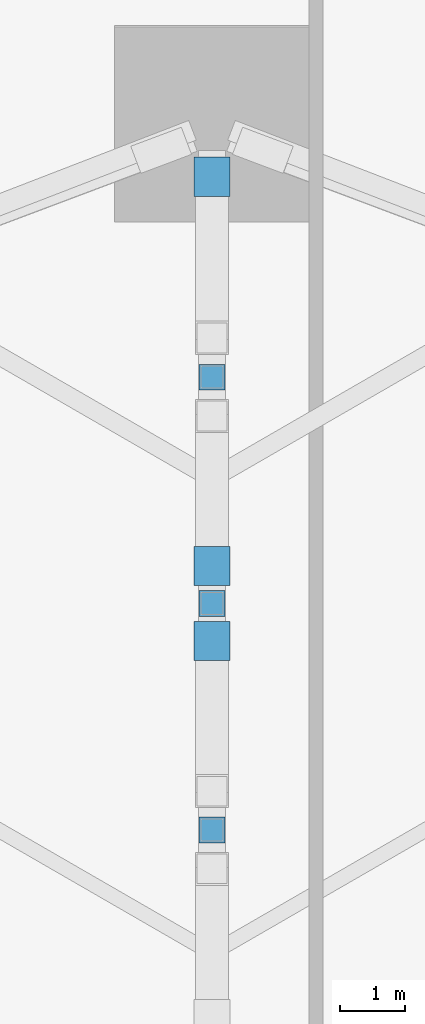
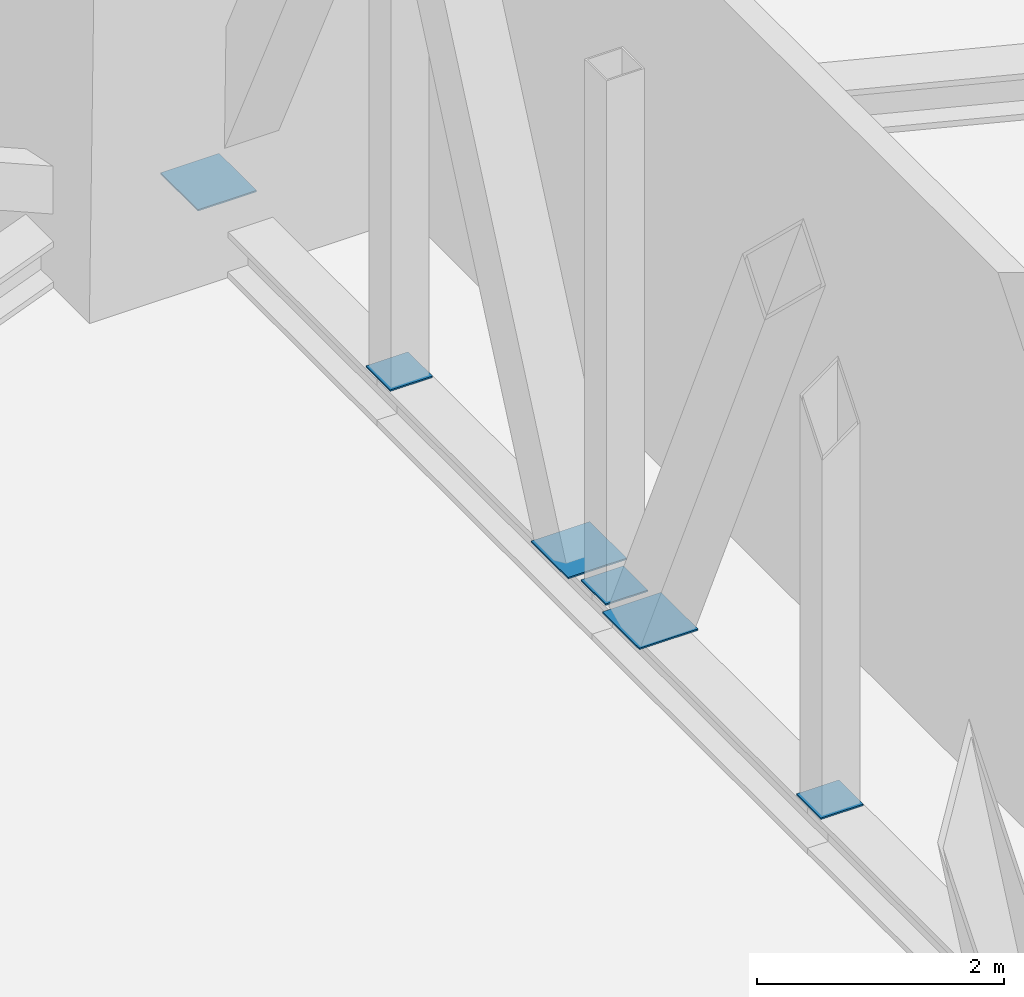
# One storey, part 10 of 18: 6 discrete accessories.
"""IFC4 building model written with IfcOpenShell, lengths in metres."""

from ifc_helpers import new_model, si_unit, direction, frame, origin, origin_2d, place, context, subcontext, project, spatial, rectangle, extrude, material, type_object, element, save


model = new_model("IFC4")

# Units and contexts
model_context = context("Model", 3, precision=1e-05, world=origin(), true_north=direction((0.0, 1.0)))
body_context = subcontext(model_context, "Body", "Model", "MODEL_VIEW")
ifc_project = project(units=[si_unit("LENGTHUNIT", "METRE"), si_unit("AREAUNIT", "SQUARE_METRE"), si_unit("VOLUMEUNIT", "CUBIC_METRE"), si_unit("PLANEANGLEUNIT", "RADIAN"), si_unit("MASSUNIT", "GRAM", prefix="KILO")], contexts=[model_context])

# Site, building, storey
site_placement = place(None, origin())
site = spatial("IfcSite", under=ifc_project, at=site_placement, CompositionType="ELEMENT")
building_placement = place(site_placement, origin())
building = spatial("IfcBuilding", under=site, at=building_placement, Name="Sierra Prisma Convention Tower", CompositionType="ELEMENT")
storey_placement = place(building_placement, frame((0.0, 0.0, 112.60009765625)))
storey = spatial("IfcBuildingStorey", under=building, at=storey_placement, Name="L24", CompositionType="ELEMENT", Elevation=112.60009765625)

# Discrete accessories
ifc_material = material(Name="Steel ASTM A992 Gr 50", Category="steel")
discrete_accessory_type = type_object("IfcDiscreteAccessoryType", Name="Truss end plate", PredefinedType="BRACKET", material=ifc_material)
discrete_accessory_placement = place(storey_placement, frame((0.0, 28.406005859375, 0.4580078125), z_axis=(0.0, 0.0, 1.0), x_axis=(0.0, -1.0, 0.0)))
element("IfcDiscreteAccessory", 1, at=discrete_accessory_placement, inside=storey, type_object=discrete_accessory_type, Name="Outrigger truss L24 N diagonal 1 foot end plate", PredefinedType="BRACKET", context=body_context, shape_type="SweptSolid", body=[
    extrude(rectangle(XDim=0.60498046875, YDim=0.548095703125, at=origin_2d()), origin(), (0.0, 0.0, 1.0), 0.014892578125),
])
for number, where, z_axis, x_axis, name in (
    (2, (0.0, 22.40869140625, 0.4580078125), (0.0, 0.0, 1.0), (0.0, -1.0, 0.0), "Outrigger truss L24 N diagonal 2 foot end plate"),
    (3, (0.0, 21.25537109375, 0.4580078125), (0.0, 0.0, 1.0), (0.0, -1.0, 0.0), "Outrigger truss L24 N diagonal 3 foot end plate"),
):
    element("IfcDiscreteAccessory", number, at=place(storey_placement, frame(where, z_axis=z_axis, x_axis=x_axis)), inside=storey, type_object=discrete_accessory_type, Name=name, PredefinedType="BRACKET", context=body_context, shape_type="SweptSolid", body=[
        extrude(rectangle(XDim=0.596923828125, YDim=0.548095703125, at=origin_2d()), origin(), (0.0, 0.0, 1.0), 0.014892578125),
    ])
for number, where, z_axis, x_axis, name in (
    (4, (0.0, 25.320068359375, 0.4580078125), (0.0, 0.0, 1.0), (0.0, -1.0, 0.0), "Outrigger truss L24 N post 1 end plate"),
    (5, (0.0, 21.83203125, 0.4580078125), (0.0, 0.0, 1.0), (0.0, -1.0, 0.0), "Outrigger truss L24 N post 2 end plate"),
    (6, (0.0, 18.343994140625, 0.4580078125), (0.0, 0.0, 1.0), (0.0, -1.0, 0.0), "Outrigger truss L24 N post 3 end plate"),
):
    element("IfcDiscreteAccessory", number, at=place(storey_placement, frame(where, z_axis=z_axis, x_axis=x_axis)), inside=storey, type_object=discrete_accessory_type, Name=name, PredefinedType="BRACKET", context=body_context, shape_type="SweptSolid", body=[
        extrude(rectangle(XDim=0.39599609375, YDim=0.39599609375, at=origin_2d()), origin(), (0.0, 0.0, 1.0), 0.014892578125),
    ])

save(model, "model.ifc")
